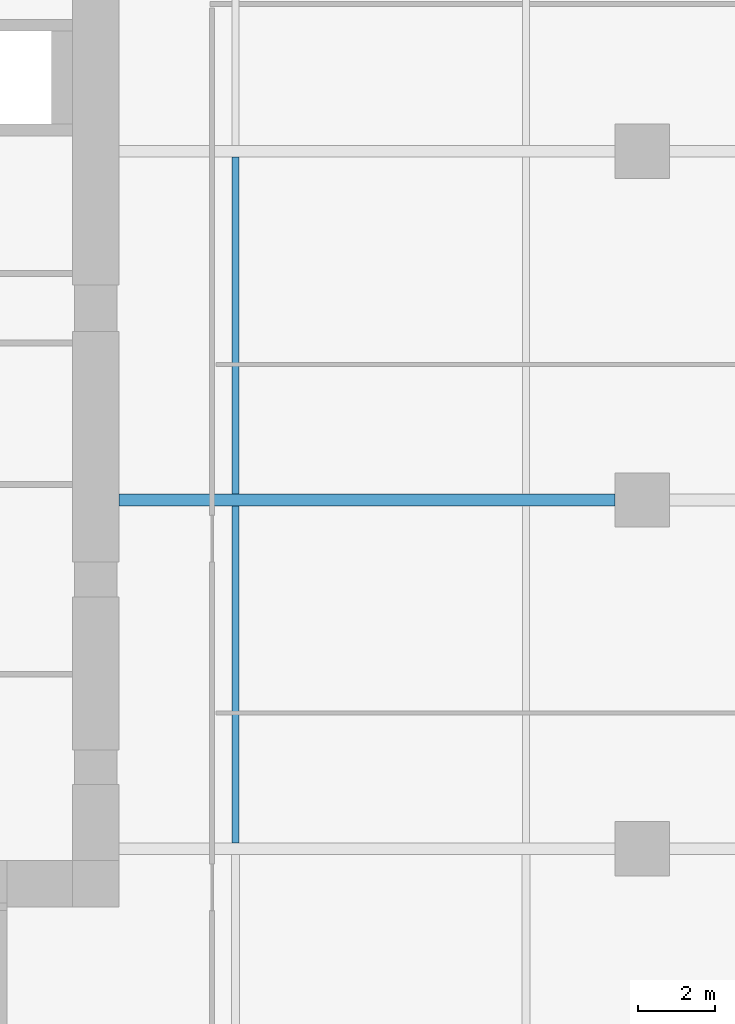
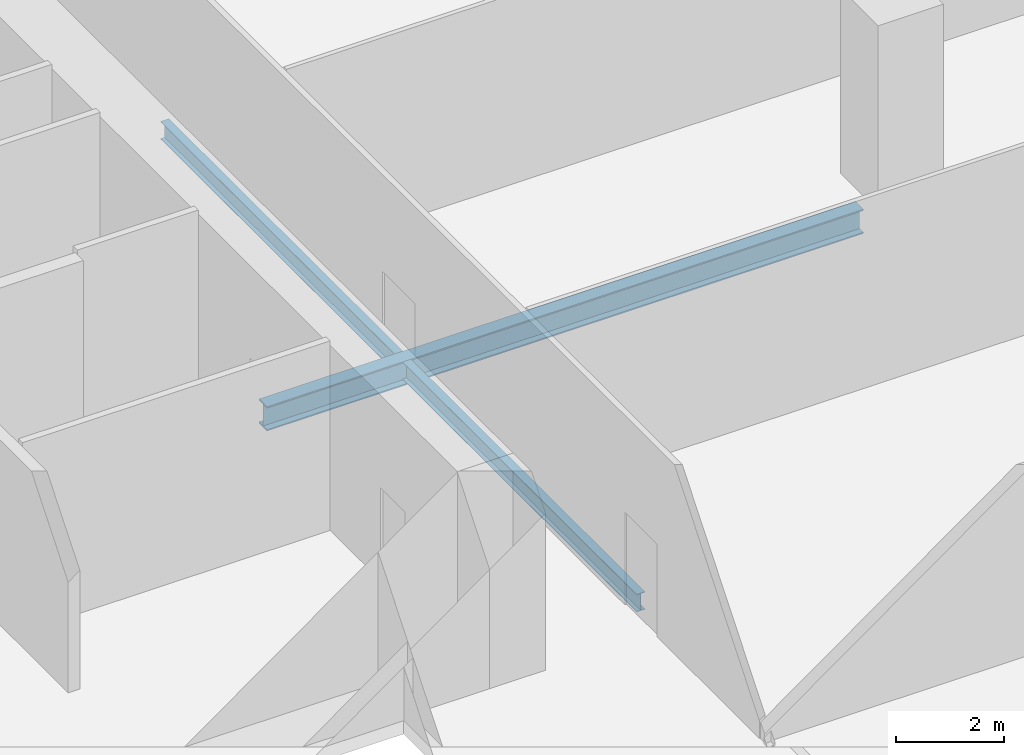
# One storey, part 6 of 32: 3 beams.
"""IFC4 building model written with IfcOpenShell, lengths in metres."""

from ifc_helpers import new_model, si_unit, direction, frame, origin, origin_2d, place, context, subcontext, project, spatial, i_section, extrude, source, transform, mapped, material, material_profile, profile_set, type_object, element, save


model = new_model("IFC4")

# Units and contexts
model_context = context("Model", 3, precision=1e-05, world=origin(), true_north=direction((0.0, 1.0)))
body_context = subcontext(model_context, "Body", "Model", "MODEL_VIEW")
ifc_project = project(units=[si_unit("LENGTHUNIT", "METRE"), si_unit("AREAUNIT", "SQUARE_METRE"), si_unit("VOLUMEUNIT", "CUBIC_METRE"), si_unit("PLANEANGLEUNIT", "RADIAN"), si_unit("MASSUNIT", "GRAM", prefix="KILO")], contexts=[model_context])

# Site, building, storey
site_placement = place(None, origin())
site = spatial("IfcSite", under=ifc_project, at=site_placement, CompositionType="ELEMENT")
building_placement = place(site_placement, origin())
building = spatial("IfcBuilding", under=site, at=building_placement, Name="Khomas Fold Tower", CompositionType="ELEMENT")
storey_placement = place(building_placement, frame((0.0, 0.0, 42.0)))
storey = spatial("IfcBuildingStorey", under=building, at=storey_placement, Name="L08", CompositionType="ELEMENT", Elevation=42.0)

# Beams
ifc_material_1 = material(Name="Steel S355", Category="steel")
ifc_material_profile_1 = material_profile(ifc_material_1, i_section(OverallWidth=0.300048828125, OverallDepth=0.550048828125, WebThickness=0.014892578125, FlangeThickness=0.029052734375, at=origin_2d()), Name="HE 550 B")
ifc_profile_set_1 = profile_set([ifc_material_profile_1], Name="Steel S355")
beam_type_1 = type_object("IfcBeamType", Name="HE 550 B beam GB4", PredefinedType="BEAM", material=ifc_profile_set_1)
shared_shape_1 = source(origin(), body_context, "Body", "SweptSolid", [
    extrude(i_section(OverallWidth=0.300048828125, OverallDepth=0.550048828125, WebThickness=0.014892578125, FlangeThickness=0.029052734375, at=origin_2d()), origin(), (0.0, 0.0, 1.0), 12.800048828125),
])
beam_placement = place(storey_placement, frame((24.0, 22.5, -0.574951171875), z_axis=(1.0, 0.0, 0.0), x_axis=(0.0, 1.0, 0.0)))
element("IfcBeam", 1, at=beam_placement, inside=storey, type_object=beam_type_1, Name="GB4", PredefinedType="BEAM", context=body_context, shape_type="MappedRepresentation", body=[
    mapped(shared_shape_1, transform((0.0, 0.0, 0.0))),
])
ifc_material_2 = material(Name="Steel S355", Category="steel")
ifc_material_profile_2 = material_profile(ifc_material_2, i_section(OverallWidth=0.179931640625, OverallDepth=0.39990234375, WebThickness=0.008544921875, FlangeThickness=0.013427734375, at=origin_2d()), Name="IPE 400")
ifc_profile_set_2 = profile_set([ifc_material_profile_2], Name="Steel S355")
beam_type_2 = type_object("IfcBeamType", Name="IPE 400 beam JB3", PredefinedType="BEAM", material=ifc_profile_set_2)
shared_shape_2 = source(origin(), body_context, "Body", "SweptSolid", [
    extrude(i_section(OverallWidth=0.179931640625, OverallDepth=0.39990234375, WebThickness=0.008544921875, FlangeThickness=0.013427734375, at=origin_2d()), origin(), (0.0, 0.0, 1.0), 8.7001953125),
])
for number, where, z_axis, x_axis, name in (
    (2, (27.0, 13.64990234375, -0.5), (0.0, 1.0, 0.0), (-1.0, 0.0, 0.0), "JB3"),
    (3, (27.0, 22.64990234375, -0.5), (0.0, 1.0, 0.0), (-1.0, 0.0, 0.0), "JB3"),
):
    element("IfcBeam", number, at=place(storey_placement, frame(where, z_axis=z_axis, x_axis=x_axis)), inside=storey, type_object=beam_type_2, Name=name, PredefinedType="BEAM", context=body_context, shape_type="MappedRepresentation", body=[
        mapped(shared_shape_2, transform((0.0, 0.0, 0.0))),
    ])

save(model, "model.ifc")
